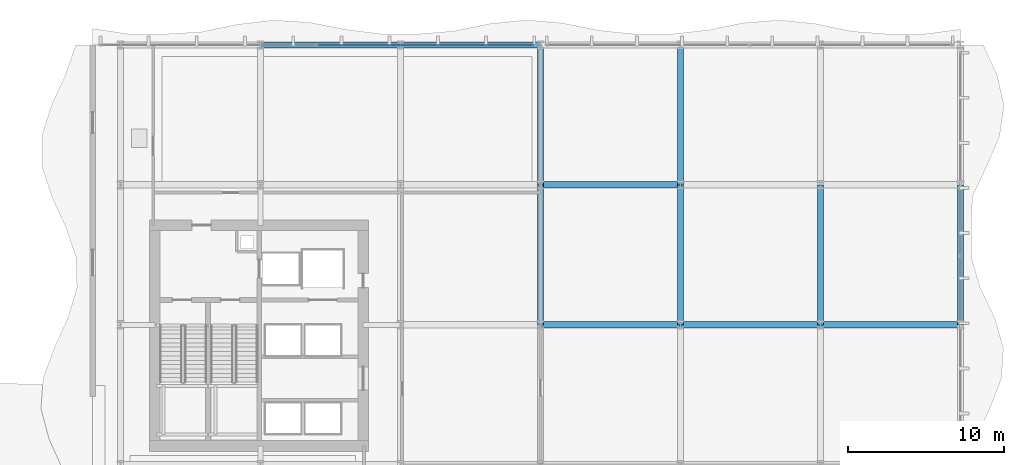
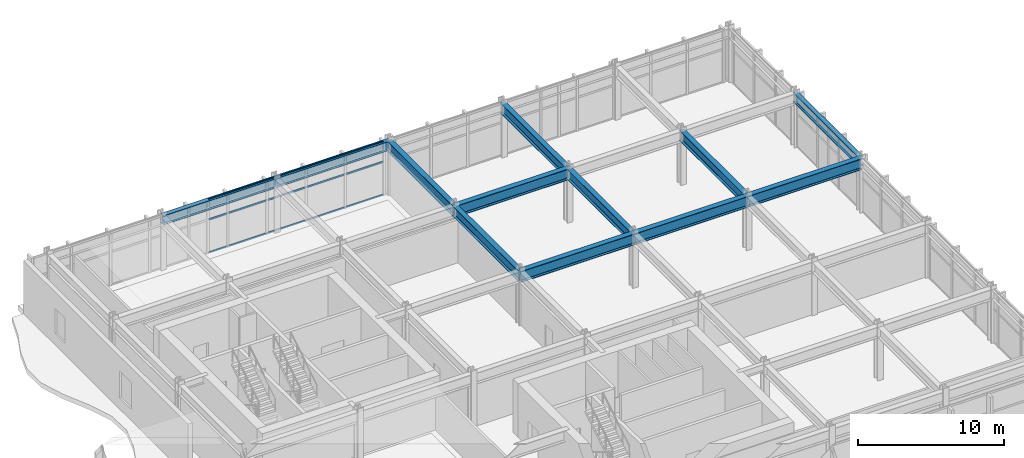
# One storey, part 14 of 29: 12 beams, 3 members, 1 element without a shape of its own.
"""IFC4 building model written with IfcOpenShell, lengths in metres."""

from ifc_helpers import new_model, si_unit, direction, frame, origin, origin_2d, place, context, subcontext, project, spatial, hollow_rectangle, i_section, extrude, material, layer, layer_set, material_profile, profile_set, type_object, element, aggregate, save


model = new_model("IFC4")

# Units and contexts
model_context = context("Model", 3, precision=1e-05, world=origin(), true_north=direction((0.0, 1.0)))
body_context = subcontext(model_context, "Body", "Model", "MODEL_VIEW")
ifc_project = project(units=[si_unit("LENGTHUNIT", "METRE"), si_unit("AREAUNIT", "SQUARE_METRE"), si_unit("VOLUMEUNIT", "CUBIC_METRE"), si_unit("PLANEANGLEUNIT", "RADIAN"), si_unit("MASSUNIT", "GRAM", prefix="KILO")], contexts=[model_context])

# Site, building, storey
site_placement = place(None, origin())
site = spatial("IfcSite", under=ifc_project, at=site_placement, CompositionType="ELEMENT")
building_placement = place(site_placement, origin())
building = spatial("IfcBuilding", under=site, at=building_placement, Name="Solvaryn Broadcast Tower", CompositionType="ELEMENT")
storey_placement = place(building_placement, frame((0.0, 0.0, 21.199951171875)))
storey = spatial("IfcBuildingStorey", under=building, at=storey_placement, Name="L04", CompositionType="ELEMENT", Elevation=21.199951171875)

# Beams
ifc_material_1 = material(Name="Steel ASTM A992 Grade 50", Category="steel")
ifc_material_profile_1 = material_profile(ifc_material_1, i_section(OverallWidth=0.41796875, OverallDepth=0.927001953125, WebThickness=0.019287109375, FlangeThickness=0.031982421875, FilletRadius=0.02392578125, at=origin_2d()))
ifc_profile_set_1 = profile_set([ifc_material_profile_1], Name="Steel ASTM A992 Grade 50")
beam_type_1 = type_object("IfcBeamType", Name="BM-G2-W36X231", PredefinedType="BEAM", material=ifc_profile_set_1)
for number, where, z_axis, x_axis, name in (
    (1, (36.0, 36.0, 4.0166015625), (1.0, 0.0, 0.0), (0.0, 1.0, 0.0), "L04 Primary Beam X (36-45 @ Y=36)"),
    (2, (45.0, 36.0, 4.0166015625), (1.0, 0.0, 0.0), (0.0, 1.0, 0.0), "L04 Primary Beam X (45-54 @ Y=36)"),
    (3, (54.0, 36.0, 4.0166015625), (1.0, 0.0, 0.0), (0.0, 1.0, 0.0), "L04 Primary Beam X (54-63 @ Y=36)"),
    (4, (36.0, 45.0, 4.0166015625), (1.0, 0.0, 0.0), (0.0, 1.0, 0.0), "L04 Primary Beam X (36-45 @ Y=45)"),
):
    element("IfcBeam", number, at=place(storey_placement, frame(where, z_axis=z_axis, x_axis=x_axis)), inside=storey, type_object=beam_type_1, Name=name, PredefinedType="BEAM", context=body_context, shape_type="SweptSolid", body=[
        extrude(i_section(OverallWidth=0.41796875, OverallDepth=0.927001953125, WebThickness=0.019287109375, FlangeThickness=0.031982421875, FilletRadius=0.02392578125, at=origin_2d()), origin(), (0.0, 0.0, 1.0), 9.0),
    ])
ifc_material_2 = material(Name="Steel ASTM A992 Grade 50", Category="steel")
ifc_material_profile_2 = material_profile(ifc_material_2, i_section(OverallWidth=0.39990234375, OverallDepth=0.85498046875, WebThickness=0.018310546875, FlangeThickness=0.029296875, FilletRadius=0.02001953125, at=origin_2d()))
ifc_profile_set_2 = profile_set([ifc_material_profile_2], Name="Steel ASTM A992 Grade 50")
beam_type_2 = type_object("IfcBeamType", Name="BM-G3-W33X201", PredefinedType="BEAM", material=ifc_profile_set_2)
for number, where, z_axis, x_axis, name in (
    (5, (36.0, 36.0, 4.052490234375), (0.0, 1.0, 0.0), (-1.0, 0.0, 0.0), "L04 Primary Beam Y (36-45 @ X=36)"),
    (6, (36.0, 45.0, 4.052490234375), (0.0, 1.0, 0.0), (-1.0, 0.0, 0.0), "L04 Primary Beam Y (45-54 @ X=36)"),
    (7, (45.0, 36.0, 4.052490234375), (0.0, 1.0, 0.0), (-1.0, 0.0, 0.0), "L04 Primary Beam Y (36-45 @ X=45)"),
    (8, (45.0, 45.0, 4.052490234375), (0.0, 1.0, 0.0), (-1.0, 0.0, 0.0), "L04 Primary Beam Y (45-54 @ X=45)"),
    (9, (54.0, 36.0, 4.052490234375), (0.0, 1.0, 0.0), (-1.0, 0.0, 0.0), "L04 Primary Beam Y (36-45 @ X=54)"),
):
    element("IfcBeam", number, at=place(storey_placement, frame(where, z_axis=z_axis, x_axis=x_axis)), inside=storey, type_object=beam_type_2, Name=name, PredefinedType="BEAM", context=body_context, shape_type="SweptSolid", body=[
        extrude(i_section(OverallWidth=0.39990234375, OverallDepth=0.85498046875, WebThickness=0.018310546875, FlangeThickness=0.029296875, FilletRadius=0.02001953125, at=origin_2d()), origin(), (0.0, 0.0, 1.0), 9.0),
    ])
ifc_material_3 = material(Name="Steel ASTM A992 Grade 50", Category="steel")
ifc_material_profile_3 = material_profile(ifc_material_3, i_section(OverallWidth=0.381103515625, OverallDepth=0.77294921875, WebThickness=0.0166015625, FlangeThickness=0.027099609375, FilletRadius=0.01806640625, at=origin_2d()))
ifc_profile_set_3 = profile_set([ifc_material_profile_3], Name="Steel ASTM A992 Grade 50")
beam_type_3 = type_object("IfcBeamType", Name="BM-SP1-W30X173", PredefinedType="USERDEFINED", material=ifc_profile_set_3)
for number, where, z_axis, x_axis, name in (
    (10, (18.0, 54.0, 4.093505859375), (1.0, 0.0, 0.0), (0.0, 1.0, 0.0), "L04 Spandrel Beam X (18-27 @ Y=54)"),
    (11, (27.0, 54.0, 4.093505859375), (1.0, 0.0, 0.0), (0.0, 1.0, 0.0), "L04 Spandrel Beam X (27-36 @ Y=54)"),
    (12, (63.0, 36.0, 4.093505859375), (0.0, 1.0, 0.0), (-1.0, 0.0, 0.0), "L04 Spandrel Beam Y (36-45 @ X=63)"),
):
    element("IfcBeam", number, at=place(storey_placement, frame(where, z_axis=z_axis, x_axis=x_axis)), inside=storey, type_object=beam_type_3, Name=name, ObjectType="SPANDREL", PredefinedType="USERDEFINED", context=body_context, shape_type="SweptSolid", body=[
        extrude(i_section(OverallWidth=0.381103515625, OverallDepth=0.77294921875, WebThickness=0.0166015625, FlangeThickness=0.027099609375, FilletRadius=0.01806640625, at=origin_2d()), origin(), (0.0, 0.0, 1.0), 9.0),
    ])

# Curtain wall, members
ifc_material_4 = material(Name="Aluminium and Terracotta Unitised Curtain Wall", Category="masonry")
ifc_layer = layer(ifc_material_4, 0.219970703125)
ifc_layer_set = layer_set([ifc_layer], Name="CW-SYS1-PODIUM")
curtain_wall_type = type_object("IfcCurtainWallType", Name="CW-SYS1-PODIUM", PredefinedType="NOTDEFINED", material=ifc_layer_set)
curtain_wall_placement = place(storey_placement, origin())
curtain_wall = element("IfcCurtainWall", 13, at=curtain_wall_placement, inside=storey, type_object=curtain_wall_type, Name="L04 Podium Curtain Wall N1", PredefinedType="NOTDEFINED")
ifc_material_5 = material(Name="Anodised Aluminium 6063-T6", Category="aluminium")
ifc_material_profile_4 = material_profile(ifc_material_5, hollow_rectangle(XDim=0.06494140625, YDim=0.14990234375, WallThickness=0.00390625, InnerFilletRadius=0.00390625, OuterFilletRadius=0.008056640625, at=origin_2d()))
ifc_profile_set_4 = profile_set([ifc_material_profile_4], Name="Anodised Aluminium 6063-T6")
member_type = type_object("IfcMemberType", Name="CW-TRN-150", PredefinedType="USERDEFINED", material=ifc_profile_set_4)
member_1_placement = place(storey_placement, frame((21.679931640625, 54.0, 0.030029296875), z_axis=(1.0, 0.0, 0.0), x_axis=(0.0, 1.0, 0.0)))
member_1 = element("IfcMember", 14, at=member_1_placement, type_object=member_type, Name="CWS1 transom 2.1", ObjectType="TRANSOM", PredefinedType="USERDEFINED", context=body_context, shape_type="SweptSolid", body=[
    extrude(hollow_rectangle(XDim=0.06494140625, YDim=0.14990234375, WallThickness=0.00390625, InnerFilletRadius=0.00390625, OuterFilletRadius=0.008056640625, at=origin_2d()), origin(), (0.0, 0.0, 1.0), 13.860107421875),
])
member_2_placement = place(storey_placement, frame((21.679931640625, 54.0, 2.800048828125), z_axis=(1.0, 0.0, 0.0), x_axis=(0.0, 1.0, 0.0)))
member_2 = element("IfcMember", 15, at=member_2_placement, type_object=member_type, Name="CWS1 transom 2.2", ObjectType="TRANSOM", PredefinedType="USERDEFINED", context=body_context, shape_type="SweptSolid", body=[
    extrude(hollow_rectangle(XDim=0.06494140625, YDim=0.14990234375, WallThickness=0.00390625, InnerFilletRadius=0.00390625, OuterFilletRadius=0.008056640625, at=origin_2d()), origin(), (0.0, 0.0, 1.0), 13.860107421875),
])
member_3_placement = place(storey_placement, frame((21.679931640625, 54.0, 4.449951171875), z_axis=(1.0, 0.0, 0.0), x_axis=(0.0, 1.0, 0.0)))
member_3 = element("IfcMember", 16, at=member_3_placement, type_object=member_type, Name="CWS1 transom 2.3", ObjectType="TRANSOM", PredefinedType="USERDEFINED", context=body_context, shape_type="SweptSolid", body=[
    extrude(hollow_rectangle(XDim=0.06494140625, YDim=0.14990234375, WallThickness=0.00390625, InnerFilletRadius=0.00390625, OuterFilletRadius=0.008056640625, at=origin_2d()), origin(), (0.0, 0.0, 1.0), 13.860107421875),
])
aggregate(curtain_wall, [member_1, member_2, member_3])

save(model, "model.ifc")
